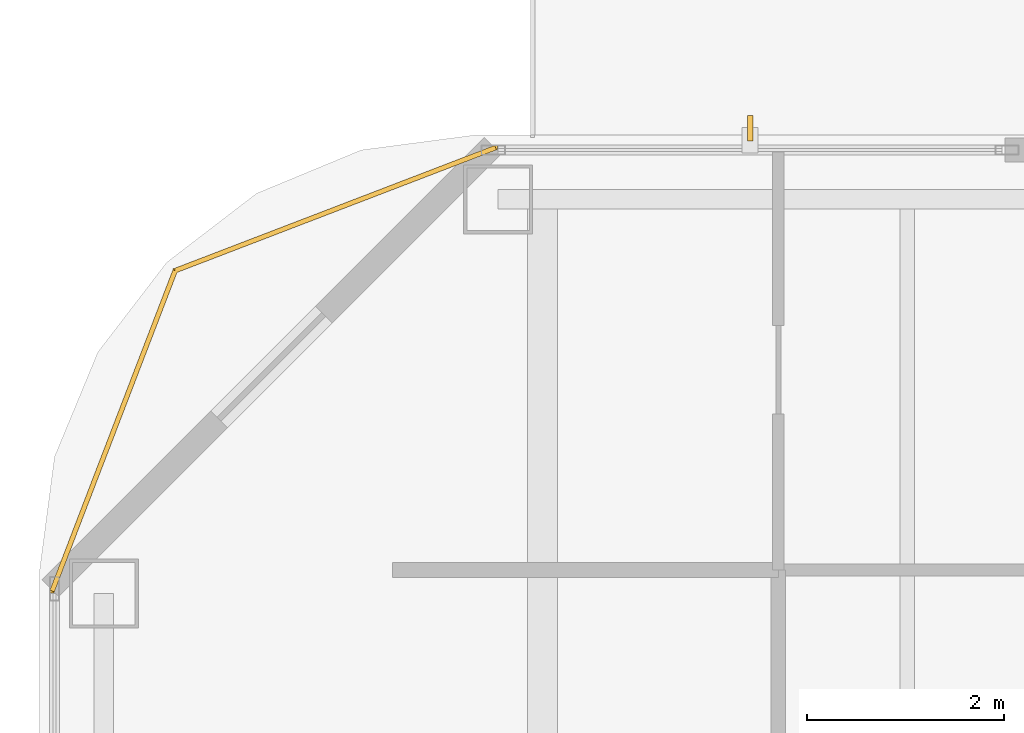
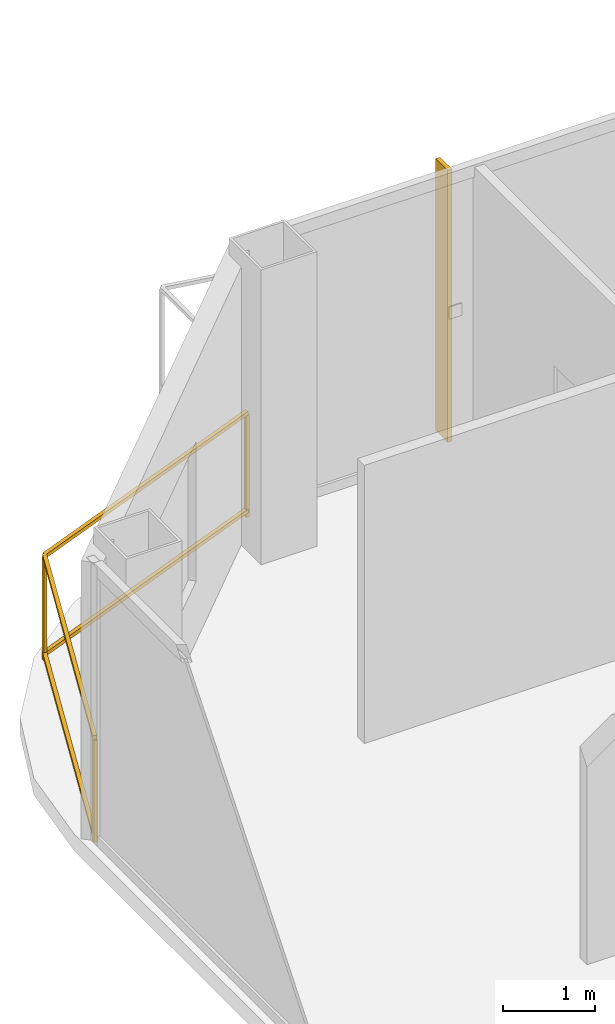
# One storey, part 28 of 30: 1 railing, 1 shading device.
"""IFC4 building model written with IfcOpenShell, lengths in metres."""

from ifc_helpers import new_model, si_unit, direction, frame, origin, origin_2d, place, context, subcontext, project, spatial, rectangle, extrude, material, layer, layer_set, type_object, element, save


model = new_model("IFC4")

# Units and contexts
model_context = context("Model", 3, precision=1e-05, world=origin(), true_north=direction((0.0, 1.0)))
body_context = subcontext(model_context, "Body", "Model", "MODEL_VIEW")
ifc_project = project(units=[si_unit("LENGTHUNIT", "METRE"), si_unit("AREAUNIT", "SQUARE_METRE"), si_unit("VOLUMEUNIT", "CUBIC_METRE"), si_unit("PLANEANGLEUNIT", "RADIAN"), si_unit("MASSUNIT", "GRAM", prefix="KILO")], contexts=[model_context])

# Site, building, storey
site_placement = place(None, origin())
site = spatial("IfcSite", under=ifc_project, at=site_placement, CompositionType="ELEMENT")
building_placement = place(site_placement, origin())
building = spatial("IfcBuilding", under=site, at=building_placement, Name="Khorvyn Point Tower", CompositionType="ELEMENT")
storey_placement = place(building_placement, frame((0.0, 0.0, 117.300048828125)))
storey = spatial("IfcBuildingStorey", under=building, at=storey_placement, Name="L29", CompositionType="ELEMENT", Elevation=117.300048828125)

# Railing
ifc_material_1 = material(Name="Anodised aluminium 6063-T6 and laminated safety glass", Category="aluminium")
railing_type = type_object("IfcRailingType", Name="Laminated Glass and Aluminium Balcony Guardrail 1400", PredefinedType="BALUSTRADE", material=ifc_material_1)
railing_placement = place(storey_placement, frame((-15.27587890625, 29.47412109375, 0.0)))
element("IfcRailing", 1, at=railing_placement, inside=storey, type_object=railing_type, Name="L29 Rounded Corner Edge Guardrail NW", PredefinedType="BALUSTRADE", context=body_context, shape_type="SweptSolid", body=[
    extrude(rectangle(XDim=0.048095703125, YDim=0.048095703125, at=origin_2d()), frame((0.0, 0.0, 1.3759765625), z_axis=(-0.933574931257, -0.358382264808, 0.0), x_axis=(0.358382264808, -0.933574931257, 0.0)), (0.0, 0.0, 1.0), 3.481689453125),
    extrude(rectangle(XDim=0.048095703125, YDim=0.048095703125, at=origin_2d()), frame((0.0, 0.0, 0.080078125), z_axis=(-0.933574931257, -0.358382264808, 0.0), x_axis=(0.358382264808, -0.933574931257, 0.0)), (0.0, 0.0, 1.0), 3.481689453125),
    extrude(rectangle(XDim=0.048095703125, YDim=0.048095703125, at=origin_2d()), frame((-3.25048828125, -1.247802734375, 1.3759765625), z_axis=(-0.35840572668, -0.933565924337, 0.0), x_axis=(0.933565924337, -0.35840572668, 0.0)), (0.0, 0.0, 1.0), 3.4814453125),
    extrude(rectangle(XDim=0.048095703125, YDim=0.048095703125, at=origin_2d()), frame((-3.25048828125, -1.247802734375, 0.080078125), z_axis=(-0.35840572668, -0.933565924337, 0.0), x_axis=(0.933565924337, -0.35840572668, 0.0)), (0.0, 0.0, 1.0), 3.4814453125),
    extrude(rectangle(XDim=0.0419921875, YDim=0.0419921875, at=origin_2d()), origin(), (0.0, 0.0, 1.0), 1.351806640625),
    extrude(rectangle(XDim=0.0419921875, YDim=0.0419921875, at=origin_2d()), frame((-3.25048828125, -1.247802734375, 0.0)), (0.0, 0.0, 1.0), 1.351806640625),
    extrude(rectangle(XDim=0.0419921875, YDim=0.0419921875, at=origin_2d()), frame((-4.498291015625, -4.498046875, 0.0)), (0.0, 0.0, 1.0), 1.351806640625),
])

# Shading device
ifc_material_2 = material(Name="Pale anodised aluminium 6063-T6", Category="aluminium")
ifc_layer = layer(ifc_material_2, 0.054931640625)
ifc_layer_set = layer_set([ifc_layer], Name="Pale Anodised Aluminium FIN 260x55")
shading_device_type = type_object("IfcShadingDeviceType", Name="Pale Anodised Aluminium FIN 260x55", PredefinedType="USERDEFINED", material=ifc_layer_set)
shading_device_placement = place(storey_placement, frame((-12.694580078125, 29.669921875, 0.039794921875), z_axis=(0.0, 0.0, 1.0), x_axis=(0.0, 1.0, 0.0)))
element("IfcShadingDevice", 2, at=shading_device_placement, inside=storey, type_object=shading_device_type, Name="L29 Anodised FIN 01", ObjectType="FIN", PredefinedType="USERDEFINED", context=body_context, shape_type="SweptSolid", body=[
    extrude(rectangle(XDim=0.260009765625, YDim=0.054931640625, at=origin_2d()), origin(), (0.0, 0.0, 1.0), 3.60009765625),
])

save(model, "model.ifc")
